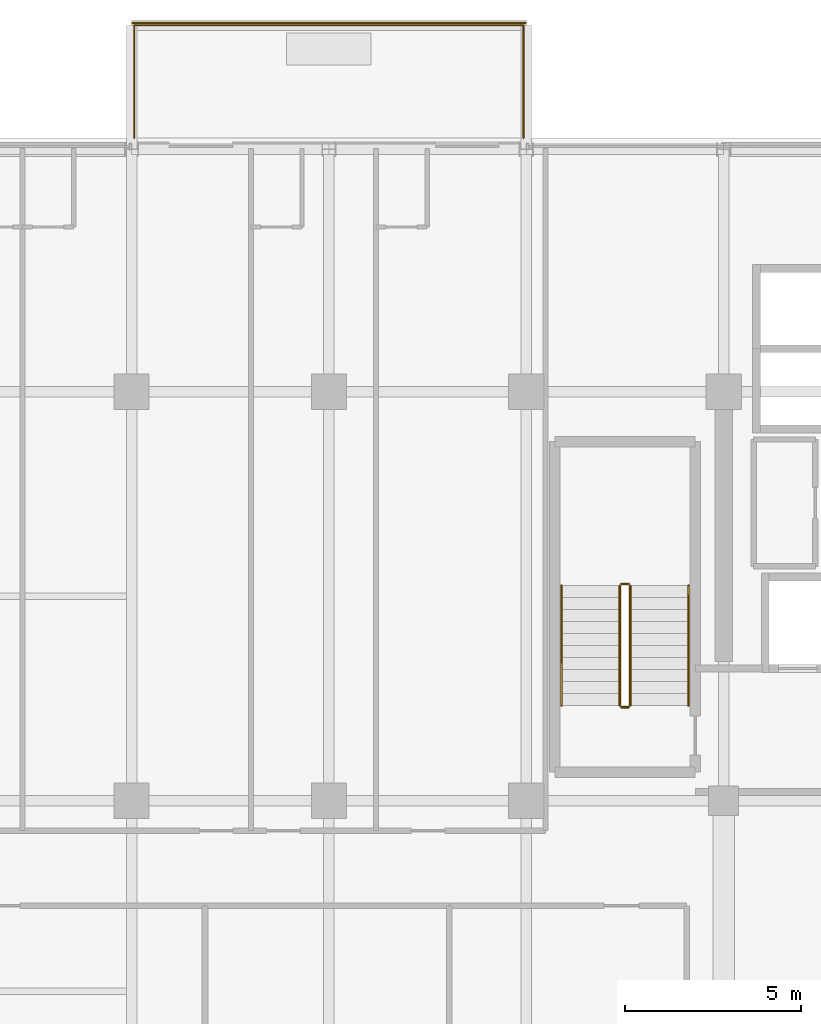
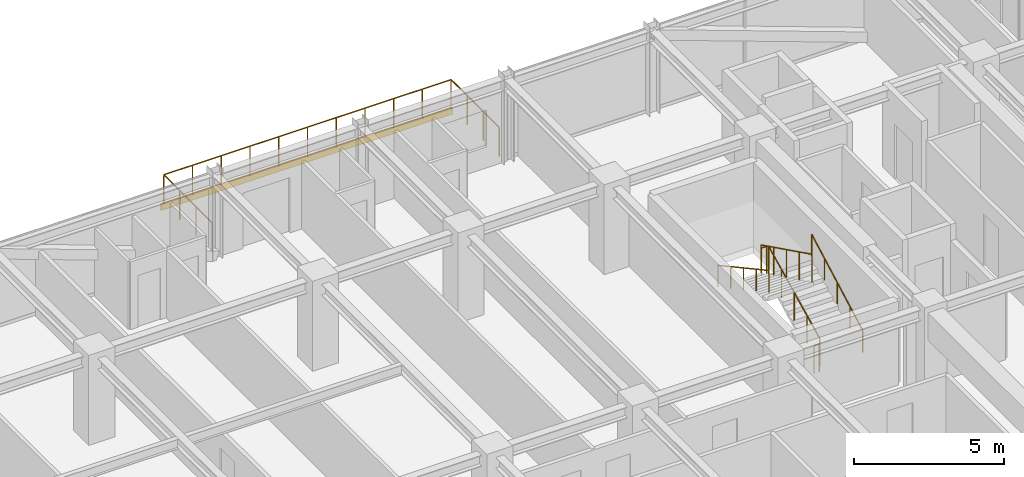
# One storey, part 42 of 43: 7 railings, 1 covering.
"""IFC4 building model written with IfcOpenShell, lengths in metres."""

from ifc_helpers import new_model, si_unit, direction, frame, origin, origin_2d, place, context, subcontext, project, spatial, rectangle, circle, extrude, source, transform, mapped, material, layer, layer_set, type_object, element, save


model = new_model("IFC4")

# Units and contexts
model_context = context("Model", 3, precision=1e-05, world=origin(), true_north=direction((0.0, 1.0)))
body_context = subcontext(model_context, "Body", "Model", "MODEL_VIEW")
ifc_project = project(units=[si_unit("LENGTHUNIT", "METRE"), si_unit("AREAUNIT", "SQUARE_METRE"), si_unit("VOLUMEUNIT", "CUBIC_METRE"), si_unit("PLANEANGLEUNIT", "RADIAN"), si_unit("MASSUNIT", "GRAM", prefix="KILO")], contexts=[model_context])

# Site, building, storey
site_placement = place(None, origin())
site = spatial("IfcSite", under=ifc_project, at=site_placement, CompositionType="ELEMENT")
building_placement = place(site_placement, origin())
building = spatial("IfcBuilding", under=site, at=building_placement, Name="Nahalor Promenade Grand Hotel", CompositionType="ELEMENT")
storey_placement = place(building_placement, frame((0.0, 0.0, 204.89990234375)))
storey = spatial("IfcBuildingStorey", under=building, at=storey_placement, Name="L52", CompositionType="ELEMENT", Elevation=204.89990234375)

# Railings
ifc_material_1 = material(Name="Anodised Bronze Aluminium EN AW-6063 T6", Category="aluminium")
railing_type_1 = type_object("IfcRailingType", Name="Bronze Balcony Guardrail 1200 mm", PredefinedType="GUARDRAIL", material=ifc_material_1)
railing_1_placement = place(storey_placement, frame((-8.320068359375, 24.199951171875, 0.0)))
element("IfcRailing", 1, at=railing_1_placement, inside=storey, type_object=railing_type_1, Name="L52 Balcony Guardrail 1", PredefinedType="GUARDRAIL", context=body_context, shape_type="SweptSolid", body=[
    extrude(circle(Radius=0.024048, at=origin_2d()), frame((0.0, 0.0, 1.17578125), z_axis=(0.0, 1.0, 0.0), x_axis=(-1.0, 0.0, 0.0)), (0.0, 0.0, 1.0), 3.197998046875),
    extrude(circle(Radius=0.024048, at=origin_2d()), frame((0.001953125, 3.199951171875, 1.17578125), z_axis=(1.0, 0.0, 0.0), x_axis=(0.0, 1.0, 0.0)), (0.0, 0.0, 1.0), 11.0361328125),
    extrude(circle(Radius=0.024048, at=origin_2d()), frame((11.0400390625, 3.197998046875, 1.17578125), z_axis=(0.0, -1.0, 0.0), x_axis=(1.0, 0.0, 0.0)), (0.0, 0.0, 1.0), 3.197998046875),
    extrude(circle(Radius=0.020996, at=origin_2d()), origin(), (0.0, 0.0, 1.0), 1.14990234375),
    extrude(circle(Radius=0.020996, at=origin_2d()), frame((0.0, 1.066650390625, 0.0)), (0.0, 0.0, 1.0), 1.14990234375),
    extrude(circle(Radius=0.020996, at=origin_2d()), frame((0.0, 2.13330078125, 0.0)), (0.0, 0.0, 1.0), 1.14990234375),
    extrude(circle(Radius=0.020996, at=origin_2d()), frame((0.0, 3.199951171875, 0.0)), (0.0, 0.0, 1.0), 1.14990234375),
    extrude(circle(Radius=0.020996, at=origin_2d()), frame((1.10400390625, 3.199951171875, 0.0)), (0.0, 0.0, 1.0), 1.14990234375),
    extrude(circle(Radius=0.020996, at=origin_2d()), frame((2.2080078125, 3.199951171875, 0.0)), (0.0, 0.0, 1.0), 1.14990234375),
    extrude(circle(Radius=0.020996, at=origin_2d()), frame((3.31201171875, 3.199951171875, 0.0)), (0.0, 0.0, 1.0), 1.14990234375),
    extrude(circle(Radius=0.020996, at=origin_2d()), frame((4.416015625, 3.199951171875, 0.0)), (0.0, 0.0, 1.0), 1.14990234375),
    extrude(circle(Radius=0.020996, at=origin_2d()), frame((5.52001953125, 3.199951171875, 0.0)), (0.0, 0.0, 1.0), 1.14990234375),
    extrude(circle(Radius=0.020996, at=origin_2d()), frame((6.6240234375, 3.199951171875, 0.0)), (0.0, 0.0, 1.0), 1.14990234375),
    extrude(circle(Radius=0.020996, at=origin_2d()), frame((7.72802734375, 3.199951171875, 0.0)), (0.0, 0.0, 1.0), 1.14990234375),
    extrude(circle(Radius=0.020996, at=origin_2d()), frame((8.83203125, 3.199951171875, 0.0)), (0.0, 0.0, 1.0), 1.14990234375),
    extrude(circle(Radius=0.020996, at=origin_2d()), frame((9.93603515625, 3.199951171875, 0.0)), (0.0, 0.0, 1.0), 1.14990234375),
    extrude(circle(Radius=0.020996, at=origin_2d()), frame((11.0400390625, 3.199951171875, 0.0)), (0.0, 0.0, 1.0), 1.14990234375),
    extrude(circle(Radius=0.020996, at=origin_2d()), frame((11.0400390625, 2.13330078125, 0.0)), (0.0, 0.0, 1.0), 1.14990234375),
    extrude(circle(Radius=0.020996, at=origin_2d()), frame((11.0400390625, 1.066650390625, 0.0)), (0.0, 0.0, 1.0), 1.14990234375),
    extrude(circle(Radius=0.020996, at=origin_2d()), frame((11.0400390625, 0.0, 0.0)), (0.0, 0.0, 1.0), 1.14990234375),
])
ifc_material_2 = material(Name="Steel S355JR", Category="steel")
railing_type_2 = type_object("IfcRailingType", Name="Steel Stair Guardrail 1150 mm", PredefinedType="GUARDRAIL", material=ifc_material_2)
railing_2_placement = place(storey_placement, frame((5.75, 8.10009765625, 0.168212890625)))
element("IfcRailing", 2, at=railing_2_placement, inside=storey, type_object=railing_type_2, Name="L52 ST1 stair guard 1", PredefinedType="GUARDRAIL", context=body_context, shape_type="SweptSolid", body=[
    extrude(circle(Radius=0.024048, at=origin_2d()), frame((0.0, 0.0, 1.1259765625), z_axis=(0.0, 0.896324230515, 0.443399226197), x_axis=(-1.0, 0.0, 0.0)), (0.0, 0.0, 1.0), 3.793212890625),
    extrude(circle(Radius=0.020996, at=origin_2d()), origin(), (0.0, 0.0, 1.0), 1.099853515625),
    extrude(circle(Radius=0.020996, at=origin_2d()), frame((0.0, 0.85009765625, 0.42041015625)), (0.0, 0.0, 1.0), 1.099853515625),
    extrude(circle(Radius=0.020996, at=origin_2d()), frame((0.0, 1.699951171875, 0.8408203125)), (0.0, 0.0, 1.0), 1.099853515625),
    extrude(circle(Radius=0.020996, at=origin_2d()), frame((0.0, 2.5498046875, 1.261474609375)), (0.0, 0.0, 1.0), 1.099853515625),
    extrude(circle(Radius=0.020996, at=origin_2d()), frame((0.0, 3.39990234375, 1.681884765625)), (0.0, 0.0, 1.0), 1.099853515625),
])
railing_3_placement = place(storey_placement, frame((5.699951171875, 11.550048828125, 1.85009765625)))
element("IfcRailing", 3, at=railing_3_placement, inside=storey, type_object=railing_type_2, Name="L52 ST1 stair guard 2", PredefinedType="GUARDRAIL", context=body_context, shape_type="SweptSolid", body=[
    extrude(circle(Radius=0.024048, at=origin_2d()), frame((0.0, 0.0, 1.1259765625), z_axis=(-1.0, 0.0, 0.0), x_axis=(0.0, -1.0, 0.0)), (0.0, 0.0, 1.0), 0.199951171875),
    extrude(circle(Radius=0.020996, at=origin_2d()), origin(), (0.0, 0.0, 1.0), 1.099853515625),
    extrude(circle(Radius=0.020996, at=origin_2d()), frame((-0.199951171875, 0.0, 0.0)), (0.0, 0.0, 1.0), 1.099853515625),
])
railing_4_placement = place(storey_placement, frame((5.449951171875, 11.5, 2.018310546875)))
element("IfcRailing", 4, at=railing_4_placement, inside=storey, type_object=railing_type_2, Name="L52 ST1 stair guard 3", PredefinedType="GUARDRAIL", context=body_context, shape_type="SweptSolid", body=[
    extrude(circle(Radius=0.024048, at=origin_2d()), frame((0.0, 0.0, 1.1259765625), z_axis=(0.0, -0.896324230515, 0.443399226197), x_axis=(1.0, 0.0, 0.0)), (0.0, 0.0, 1.0), 3.793212890625),
    extrude(circle(Radius=0.020996, at=origin_2d()), origin(), (0.0, 0.0, 1.0), 1.099853515625),
    extrude(circle(Radius=0.020996, at=origin_2d()), frame((0.0, -0.85009765625, 0.42041015625)), (0.0, 0.0, 1.0), 1.099853515625),
    extrude(circle(Radius=0.020996, at=origin_2d()), frame((0.0, -1.699951171875, 0.8408203125)), (0.0, 0.0, 1.0), 1.099853515625),
    extrude(circle(Radius=0.020996, at=origin_2d()), frame((0.0, -2.5498046875, 1.261474609375)), (0.0, 0.0, 1.0), 1.099853515625),
    extrude(circle(Radius=0.020996, at=origin_2d()), frame((0.0, -3.39990234375, 1.681884765625)), (0.0, 0.0, 1.0), 1.099853515625),
])
railing_5_placement = place(storey_placement, frame((5.699951171875, 8.050048828125, 0.0)))
element("IfcRailing", 5, at=railing_5_placement, inside=storey, type_object=railing_type_2, Name="L52 ST1 stair guard 4", PredefinedType="GUARDRAIL", context=body_context, shape_type="SweptSolid", body=[
    extrude(circle(Radius=0.024048, at=origin_2d()), frame((0.0, 0.0, 1.1259765625), z_axis=(-1.0, 0.0, 0.0), x_axis=(0.0, -1.0, 0.0)), (0.0, 0.0, 1.0), 0.199951171875),
    extrude(circle(Radius=0.020996, at=origin_2d()), origin(), (0.0, 0.0, 1.0), 1.099853515625),
    extrude(circle(Radius=0.020996, at=origin_2d()), frame((-0.199951171875, 0.0, 0.0)), (0.0, 0.0, 1.0), 1.099853515625),
])
railing_type_3 = type_object("IfcRailingType", Name="Steel Stair Handrail 900 mm", PredefinedType="HANDRAIL", material=ifc_material_2)
railing_6_placement = place(storey_placement, frame((7.39990234375, 8.10009765625, 0.168212890625)))
element("IfcRailing", 6, at=railing_6_placement, inside=storey, type_object=railing_type_3, Name="L52 ST1 stair handrail 1", PredefinedType="HANDRAIL", context=body_context, shape_type="SweptSolid", body=[
    extrude(circle(Radius=0.024048, at=origin_2d()), frame((0.0, 0.0, 0.8759765625), z_axis=(0.0, 0.87837241229, 0.47797688786), x_axis=(-1.0, 0.0, 0.0)), (0.0, 0.0, 1.0), 3.87060546875),
    extrude(circle(Radius=0.020996, at=origin_2d()), origin(), (0.0, 0.0, 1.0), 0.849853515625),
    extrude(circle(Radius=0.020996, at=origin_2d()), frame((0.0, 0.85009765625, 0.46240234375)), (0.0, 0.0, 1.0), 0.849853515625),
    extrude(circle(Radius=0.020996, at=origin_2d()), frame((0.0, 1.699951171875, 0.925048828125)), (0.0, 0.0, 1.0), 0.849853515625),
    extrude(circle(Radius=0.020996, at=origin_2d()), frame((0.0, 2.5498046875, 1.3876953125)), (0.0, 0.0, 1.0), 0.849853515625),
    extrude(circle(Radius=0.020996, at=origin_2d()), frame((0.0, 3.39990234375, 1.85009765625)), (0.0, 0.0, 1.0), 0.849853515625),
])
railing_7_placement = place(storey_placement, frame((3.800048828125, 11.5, 2.018310546875)))
element("IfcRailing", 7, at=railing_7_placement, inside=storey, type_object=railing_type_3, Name="L52 ST1 stair handrail 2", PredefinedType="HANDRAIL", context=body_context, shape_type="SweptSolid", body=[
    extrude(circle(Radius=0.024048, at=origin_2d()), frame((0.0, 0.0, 0.8759765625), z_axis=(0.0, -0.878398892953, 0.47792822145), x_axis=(1.0, 0.0, 0.0)), (0.0, 0.0, 1.0), 3.87060546875),
    extrude(circle(Radius=0.020996, at=origin_2d()), origin(), (0.0, 0.0, 1.0), 0.849853515625),
    extrude(circle(Radius=0.020996, at=origin_2d()), frame((0.0, -0.85009765625, 0.46240234375)), (0.0, 0.0, 1.0), 0.849853515625),
    extrude(circle(Radius=0.020996, at=origin_2d()), frame((0.0, -1.699951171875, 0.9248046875)), (0.0, 0.0, 1.0), 0.849853515625),
    extrude(circle(Radius=0.020996, at=origin_2d()), frame((0.0, -2.5498046875, 1.387451171875)), (0.0, 0.0, 1.0), 0.849853515625),
    extrude(circle(Radius=0.020996, at=origin_2d()), frame((0.0, -3.39990234375, 1.849853515625)), (0.0, 0.0, 1.0), 0.849853515625),
])

# Covering
ifc_layer = layer(ifc_material_1, 0.0400390625)
ifc_layer_set = layer_set([ifc_layer], Name="Anodised Bronze Aluminium EN AW-6063 T6")
covering_type = type_object("IfcCoveringType", Name="Bronze Spandrel Cladding Panel", PredefinedType="CLADDING", material=ifc_layer_set)
shared_shape = source(origin(), body_context, "Body", "SweptSolid", [
    extrude(rectangle(XDim=11.199951171875, YDim=0.0400390625, at=origin_2d()), origin(), (0.0, 0.0, 1.0), 0.280029296875),
])
covering_placement = place(storey_placement, frame((-2.800048828125, 27.4599609375, -0.27978515625), z_axis=(0.0, 0.0, 1.0), x_axis=(1.0, 0.0, 0.0)))
element("IfcCovering", 8, at=covering_placement, inside=storey, type_object=covering_type, Name="CL-L52-BALC-01", PredefinedType="CLADDING", context=body_context, shape_type="MappedRepresentation", body=[
    mapped(shared_shape, transform((0.0, 0.0, 0.0), scale=1.0)),
])

save(model, "model.ifc")
